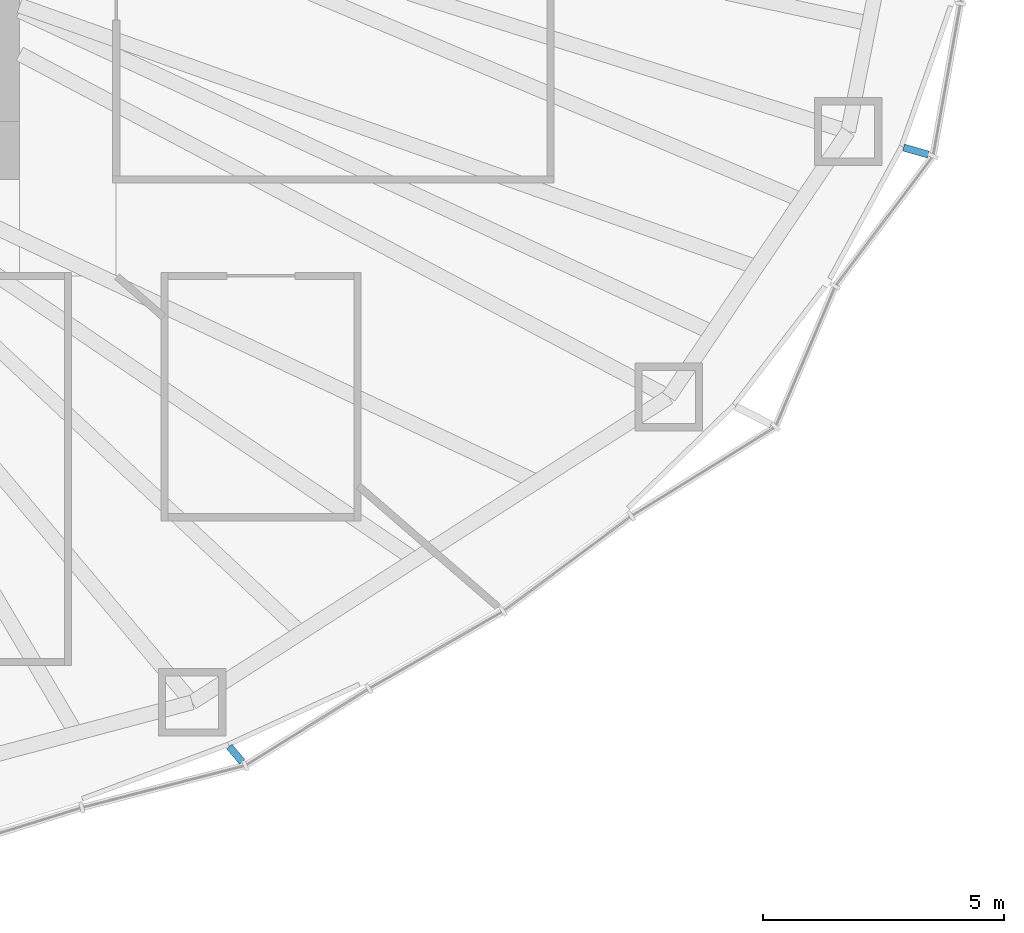
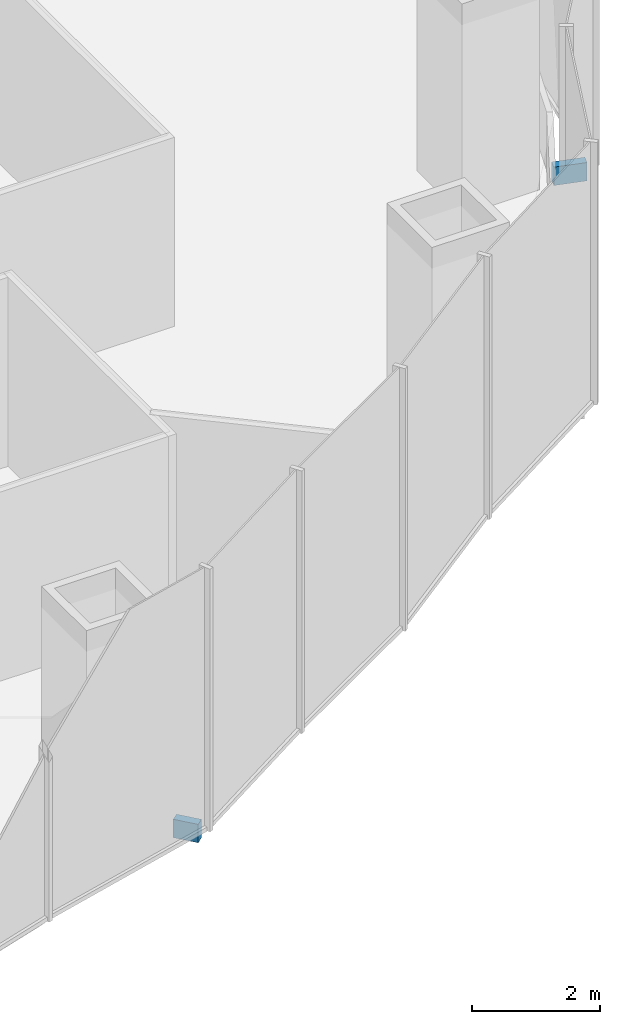
# One storey, part 14 of 18: 2 discrete accessories.
"""IFC4 building model written with IfcOpenShell, lengths in metres."""

from ifc_helpers import new_model, si_unit, direction, frame, origin, origin_2d, place, context, subcontext, project, spatial, rectangle, extrude, material, type_object, element, save


model = new_model("IFC4")

# Units and contexts
model_context = context("Model", 3, precision=1e-05, world=origin(), true_north=direction((0.0, 1.0)))
body_context = subcontext(model_context, "Body", "Model", "MODEL_VIEW")
ifc_project = project(units=[si_unit("LENGTHUNIT", "METRE"), si_unit("AREAUNIT", "SQUARE_METRE"), si_unit("VOLUMEUNIT", "CUBIC_METRE"), si_unit("PLANEANGLEUNIT", "RADIAN"), si_unit("MASSUNIT", "GRAM", prefix="KILO")], contexts=[model_context])

# Site, building, storey
site_placement = place(None, origin())
site = spatial("IfcSite", under=ifc_project, at=site_placement, CompositionType="ELEMENT")
building_placement = place(site_placement, origin())
building = spatial("IfcBuilding", under=site, at=building_placement, Name="Ghaith Harvest Tower", CompositionType="ELEMENT")
storey_placement = place(building_placement, frame((0.0, 0.0, 95.0)))
storey = spatial("IfcBuildingStorey", under=building, at=storey_placement, Name="L19", CompositionType="ELEMENT", Elevation=95.0)

# Discrete accessories
ifc_material_1 = material(Name="Stainless steel grade 1.4401", Category="steel")
discrete_accessory_type_1 = type_object("IfcDiscreteAccessoryType", Name="CURTAIN WALL BRACKET 415", PredefinedType="BRACKET", material=ifc_material_1)
discrete_accessory_1_placement = place(storey_placement, frame((18.475830078125, -21.90966796875, -0.25), z_axis=(0.0, 0.0, 1.0), x_axis=(0.644657240069, -0.764471741025, 0.0)))
element("IfcDiscreteAccessory", 1, at=discrete_accessory_1_placement, inside=storey, type_object=discrete_accessory_type_1, Name="CW-F bracket 1 bay 18 L19", PredefinedType="BRACKET", context=body_context, shape_type="SweptSolid", body=[
    extrude(rectangle(XDim=0.4150390625, YDim=0.14990234375, at=origin_2d()), origin(), (0.0, 0.0, 1.0), 0.35009765625),
])
ifc_material_2 = material(Name="Stainless steel grade 1.4401", Category="steel")
discrete_accessory_type_2 = type_object("IfcDiscreteAccessoryType", Name="CURTAIN WALL BRACKET 535", PredefinedType="BRACKET", material=ifc_material_2)
discrete_accessory_2_placement = place(storey_placement, frame((32.570556640625, -9.41357421875, -0.25), z_axis=(0.0, 0.0, 1.0), x_axis=(0.960680349932, -0.277656739976, 0.0)))
element("IfcDiscreteAccessory", 2, at=discrete_accessory_2_placement, inside=storey, type_object=discrete_accessory_type_2, Name="CW-F bracket 1 bay 20 L19", PredefinedType="BRACKET", context=body_context, shape_type="SweptSolid", body=[
    extrude(rectangle(XDim=0.534912109375, YDim=0.14990234375, at=origin_2d()), origin(), (0.0, 0.0, 1.0), 0.35009765625),
])

save(model, "model.ifc")
